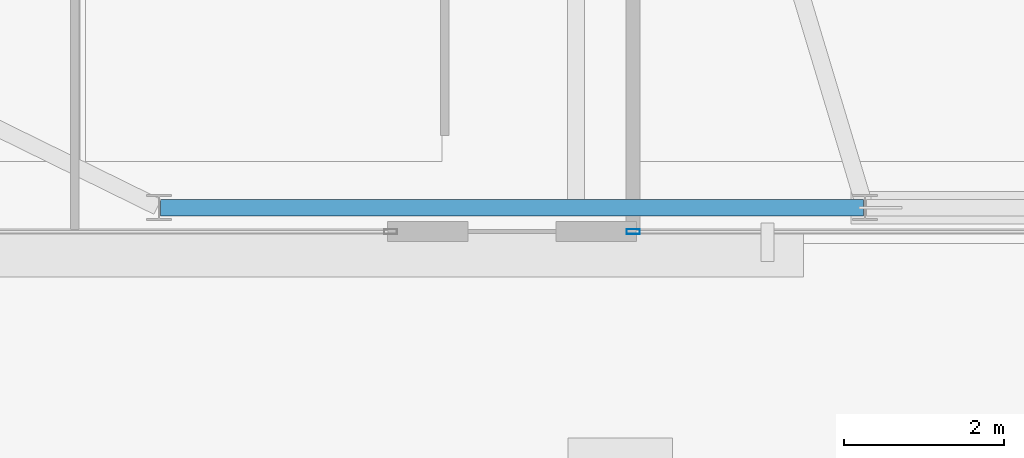
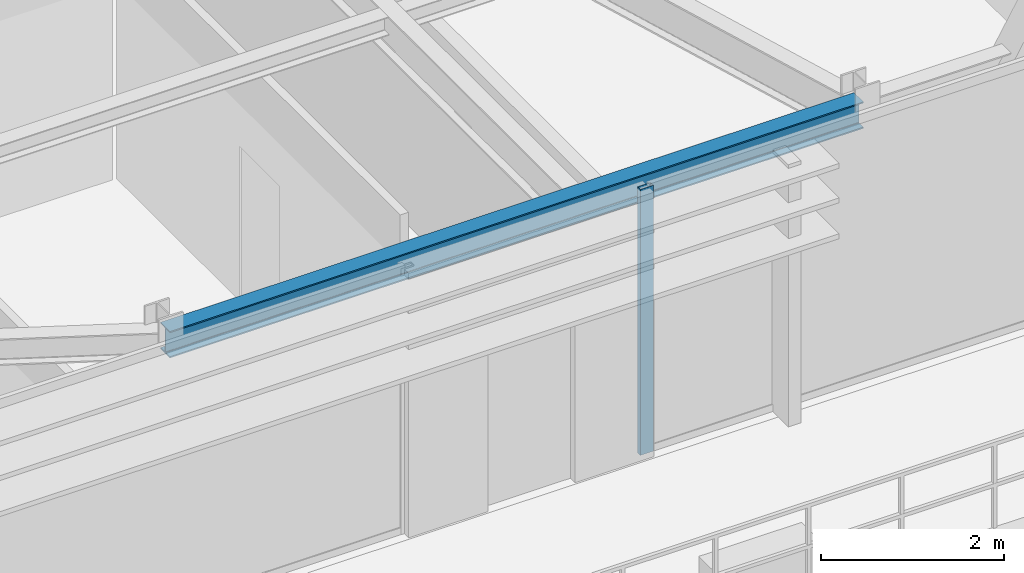
# One storey, part 5 of 25: 1 beam, 1 member, 1 element without a shape of its own.
"""IFC4 building model written with IfcOpenShell, lengths in metres."""

from ifc_helpers import new_model, si_unit, direction, frame, origin, origin_2d, place, context, subcontext, project, spatial, hollow_rectangle, i_section, extrude, source, transform, mapped, material, layer, layer_set, material_profile, profile_set, type_object, type_shapes, element, aggregate, save


model = new_model("IFC4")

# Units and contexts
model_context = context("Model", 3, precision=1e-05, world=origin(), true_north=direction((0.0, 1.0)))
body_context = subcontext(model_context, "Body", "Model", "MODEL_VIEW")
ifc_project = project(units=[si_unit("LENGTHUNIT", "METRE"), si_unit("AREAUNIT", "SQUARE_METRE"), si_unit("VOLUMEUNIT", "CUBIC_METRE"), si_unit("PLANEANGLEUNIT", "RADIAN"), si_unit("MASSUNIT", "GRAM", prefix="KILO")], contexts=[model_context])

# Site, building, storey
site_placement = place(None, origin())
site = spatial("IfcSite", under=ifc_project, at=site_placement, CompositionType="ELEMENT")
building_placement = place(site_placement, origin())
building = spatial("IfcBuilding", under=site, at=building_placement, Name="Varnel Quay Broadcast Tower", CompositionType="ELEMENT")
storey_placement = place(building_placement, frame((0.0, 0.0, 258.39990234375)))
storey = spatial("IfcBuildingStorey", under=building, at=storey_placement, Name="L64", CompositionType="ELEMENT", Elevation=258.39990234375)

# Beam
ifc_material_1 = material(Name="Structural Steel CSA G40.21 350W", Category="steel")
ifc_material_profile_1 = material_profile(ifc_material_1, i_section(OverallWidth=0.205078125, OverallDepth=0.35400390625, WebThickness=0.009521484375, FlangeThickness=0.016845703125, FilletRadius=0.012939453125, at=origin_2d()), Name="W360X79")
ifc_profile_set_1 = profile_set([ifc_material_profile_1], Name="Structural Steel CSA G40.21 350W")
beam_type = type_object("IfcBeamType", Name="Beam_W360X79", PredefinedType="SPANDREL", material=ifc_profile_set_1)
shared_shape_1 = source(origin(), body_context, "Body", "SweptSolid", [
    extrude(i_section(OverallWidth=0.205078125, OverallDepth=0.35400390625, WebThickness=0.009521484375, FlangeThickness=0.016845703125, FilletRadius=0.012939453125, at=origin_2d()), origin(), (0.0, 0.0, 1.0), 8.760009765625),
])
type_shapes(beam_type, [shared_shape_1])
beam_placement = place(storey_placement, frame((20.820068359375, 13.64990234375, 3.373046875), z_axis=(1.0, 0.0, 0.0), x_axis=(0.0, 1.0, 0.0)))
element("IfcBeam", 1, at=beam_placement, inside=storey, type_object=beam_type, Name="L64 South Spandrel TC-S1-TC-S2", PredefinedType="SPANDREL", context=body_context, shape_type="MappedRepresentation", body=[
    mapped(shared_shape_1, transform((0.0, 0.0, 0.0), x_axis=(1.0, 0.0, 0.0), y_axis=(0.0, 1.0, 0.0), z_axis=(0.0, 0.0, 1.0), scale=1.0)),
])

# Curtain wall, member
ifc_material_2 = material(Name="Anodised Bronze Aluminium 6063-T6", Category="aluminium")
ifc_layer = layer(ifc_material_2, 0.18994140625, Name="Anodised Bronze Aluminium 6063-T6")
ifc_layer_set = layer_set([ifc_layer], Name="Anodised Bronze Aluminium 6063-T6")
curtain_wall_type = type_object("IfcCurtainWallType", Name="CW_UpperTower", PredefinedType="NOTDEFINED", material=ifc_layer_set)
curtain_wall_placement = place(storey_placement, origin())
curtain_wall = element("IfcCurtainWall", 2, at=curtain_wall_placement, inside=storey, type_object=curtain_wall_type, Name="L64 South Unitised Curtain Wall 2", PredefinedType="NOTDEFINED")
ifc_material_profile_2 = material_profile(ifc_material_2, hollow_rectangle(XDim=0.06494140625, YDim=0.1650390625, WallThickness=0.00341796875, at=origin_2d()), Name="ALU65X165X3.5")
ifc_profile_set_2 = profile_set([ifc_material_profile_2], Name="Anodised Bronze Aluminium 6063-T6")
member_type = type_object("IfcMemberType", Name="Mull_CWS-03", PredefinedType="MULLION", material=ifc_profile_set_2)
shared_shape_2 = source(origin(), body_context, "Body", "SweptSolid", [
    extrude(hollow_rectangle(XDim=0.06494140625, YDim=0.1650390625, WallThickness=0.00341796875, at=origin_2d()), origin(), (0.0, 0.0, 1.0), 3.550048828125),
])
type_shapes(member_type, [shared_shape_2])
member_placement = place(storey_placement, frame((26.71240234375, 13.35009765625, 0.0), z_axis=(0.0, 0.0, 1.0), x_axis=(0.0, 1.0, 0.0)))
member = element("IfcMember", 3, at=member_placement, type_object=member_type, Name="CWS-03 mullion 1", PredefinedType="MULLION", context=body_context, shape_type="MappedRepresentation", body=[
    mapped(shared_shape_2, transform((0.0, 0.0, 0.0), x_axis=(1.0, 0.0, 0.0), y_axis=(0.0, 1.0, 0.0), z_axis=(0.0, 0.0, 1.0), scale=1.0)),
])
aggregate(curtain_wall, [member])

save(model, "model.ifc")
